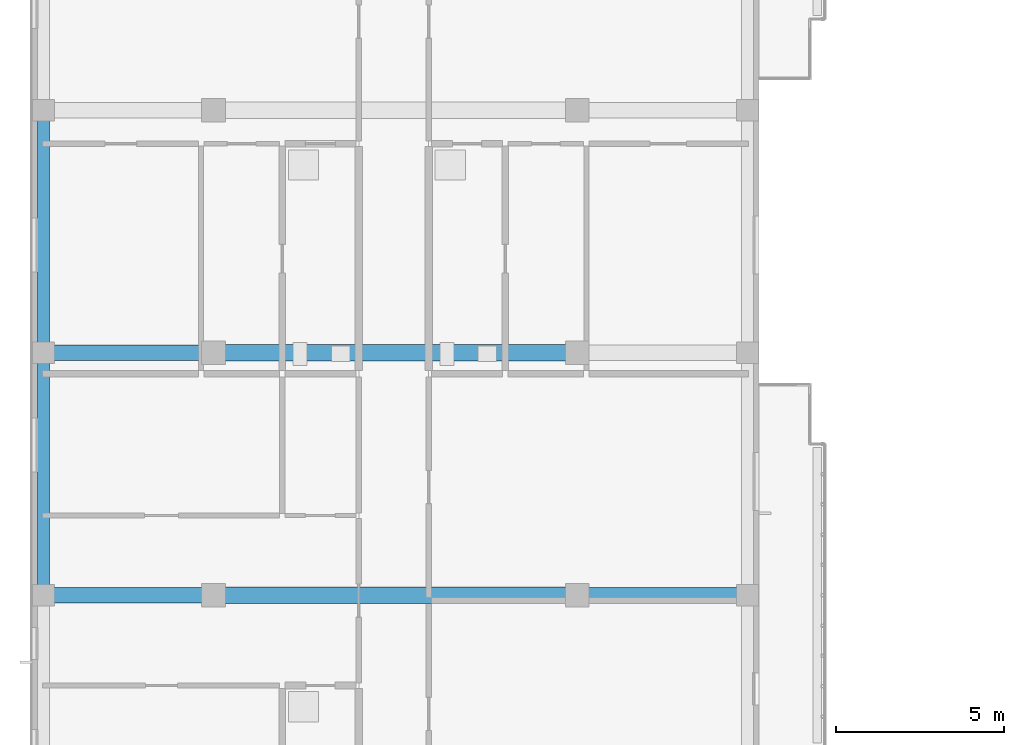
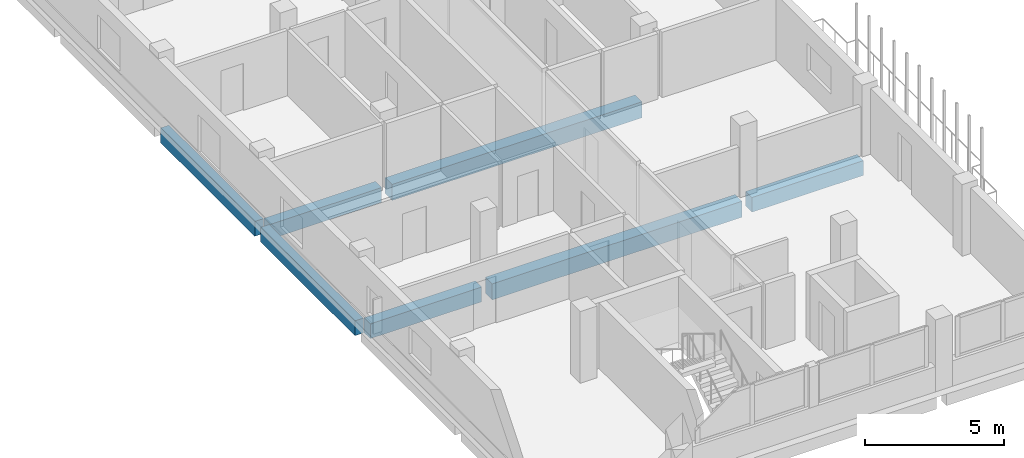
# One storey, part 11 of 56: 7 beams.
"""IFC4 building model written with IfcOpenShell, lengths in metres."""

from ifc_helpers import new_model, si_unit, derived_unit, direction, frame, origin, origin_2d, place, context, subcontext, project, spatial, rectangle, extrude, material, material_profile, profile_set, type_object, element, save


model = new_model("IFC4")

# Units and contexts
model_context = context("Model", 3, precision=1e-05, world=origin(), true_north=direction((0.0, 1.0)))
body_context = subcontext(model_context, "Body", "Model", "MODEL_VIEW")
ifc_project = project(units=[si_unit("LENGTHUNIT", "METRE"), si_unit("AREAUNIT", "SQUARE_METRE"), si_unit("VOLUMEUNIT", "CUBIC_METRE"), si_unit("PLANEANGLEUNIT", "RADIAN"), si_unit("MASSUNIT", "GRAM", prefix="KILO"), derived_unit("THERMALTRANSMITTANCEUNIT", [(si_unit("MASSUNIT", "GRAM", prefix="KILO"), 1), (si_unit("TIMEUNIT", "SECOND"), -3), (si_unit("THERMODYNAMICTEMPERATUREUNIT", "KELVIN"), -1)])], contexts=[model_context])

# Site, building, storey
site_placement = place(None, origin())
site = spatial("IfcSite", under=ifc_project, at=site_placement, CompositionType="ELEMENT")
building_placement = place(site_placement, origin())
building = spatial("IfcBuilding", under=site, at=building_placement, Name="Ochrekiln Boulevard Commons", CompositionType="ELEMENT")
storey_placement = place(building_placement, frame((0.0, 0.0, 12.074951171875)))
storey = spatial("IfcBuildingStorey", under=building, at=storey_placement, Name="L03", CompositionType="ELEMENT", Elevation=12.074951171875)

# Beams
ifc_material_1 = material(Name="Concrete C35/45", Category="concrete")
ifc_material_profile_1 = material_profile(ifc_material_1, rectangle(XDim=0.449951171875, YDim=0.64990234375, at=origin_2d()), Name="RC-BM-450x650")
ifc_profile_set_1 = profile_set([ifc_material_profile_1], Name="Concrete C35/45")
beam_type_1 = type_object("IfcBeamType", Name="BM-RC-450x650", PredefinedType="BEAM", material=ifc_profile_set_1)
beam_1_placement = place(storey_placement, frame((0.56005859375, 82.800048828125, -0.5849609375), z_axis=(1.0, 0.0, 0.0), x_axis=(0.0, 1.0, 0.0)))
element("IfcBeam", 1, at=beam_1_placement, inside=storey, type_object=beam_type_1, Name="Block A L03 Beam B-4565 X6", PredefinedType="BEAM", context=body_context, shape_type="SweptSolid", body=[
    extrude(rectangle(XDim=0.449951171875, YDim=0.64990234375, at=origin_2d()), origin(), (0.0, 0.0, 1.0), 4.6298828125),
])
beam_2_placement = place(storey_placement, frame((16.409912109375, 82.800048828125, -0.5849609375), z_axis=(1.0, 0.0, 0.0), x_axis=(0.0, 1.0, 0.0)))
element("IfcBeam", 2, at=beam_2_placement, inside=storey, type_object=beam_type_1, Name="Block A L03 Beam B-4565 X8", PredefinedType="BEAM", context=body_context, shape_type="SweptSolid", body=[
    extrude(rectangle(XDim=0.449951171875, YDim=0.64990234375, at=origin_2d()), origin(), (0.0, 0.0, 1.0), 4.630126953125),
])
beam_3_placement = place(storey_placement, frame((0.56005859375, 90.0, -0.5849609375), z_axis=(1.0, 0.0, 0.0), x_axis=(0.0, 1.0, 0.0)))
element("IfcBeam", 3, at=beam_3_placement, inside=storey, type_object=beam_type_1, Name="Block A L03 Beam B-4565 X9", PredefinedType="BEAM", context=body_context, shape_type="SweptSolid", body=[
    extrude(rectangle(XDim=0.449951171875, YDim=0.64990234375, at=origin_2d()), origin(), (0.0, 0.0, 1.0), 4.6298828125),
])
ifc_material_2 = material(Name="Concrete C40/50", Category="concrete")
ifc_material_profile_2 = material_profile(ifc_material_2, rectangle(XDim=0.5, YDim=0.699951171875, at=origin_2d()), Name="RC-BM-500x700")
ifc_profile_set_2 = profile_set([ifc_material_profile_2], Name="Concrete C40/50")
beam_type_2 = type_object("IfcBeamType", Name="BM-RC-500x700", PredefinedType="BEAM", material=ifc_profile_set_2)
for number, where, z_axis, x_axis, name in (
    (4, (5.610107421875, 82.800048828125, -0.60986328125), (1.0, 0.0, 0.0), (0.0, 1.0, 0.0), "Block A L03 Beam B-5070 X7"),
    (5, (5.610107421875, 90.0, -0.60986328125), (1.0, 0.0, 0.0), (0.0, 1.0, 0.0), "Block A L03 Beam B-5070 X10"),
):
    element("IfcBeam", number, at=place(storey_placement, frame(where, z_axis=z_axis, x_axis=x_axis)), inside=storey, type_object=beam_type_2, Name=name, PredefinedType="BEAM", context=body_context, shape_type="SweptSolid", body=[
        extrude(rectangle(XDim=0.5, YDim=0.699951171875, at=origin_2d()), origin(), (0.0, 0.0, 1.0), 10.3798828125),
    ])
ifc_material_profile_3 = material_profile(ifc_material_2, rectangle(XDim=0.35009765625, YDim=0.64990234375, at=origin_2d()), Name="RC-SPN-350x650")
ifc_profile_set_3 = profile_set([ifc_material_profile_3], Name="Concrete C40/50")
beam_type_3 = type_object("IfcBeamType", Name="SPN-RC-350x650", PredefinedType="SPANDREL", material=ifc_profile_set_3)
for number, where, z_axis, x_axis, name in (
    (6, (0.35009765625, 83.010009765625, -0.5849609375), (0.0, 1.0, 0.0), (-1.0, 0.0, 0.0), "Block A L03 Beam SP-3565 Y25"),
    (7, (0.35009765625, 90.2099609375, -0.5849609375), (0.0, 1.0, 0.0), (-1.0, 0.0, 0.0), "Block A L03 Beam SP-3565 Y26"),
):
    element("IfcBeam", number, at=place(storey_placement, frame(where, z_axis=z_axis, x_axis=x_axis)), inside=storey, type_object=beam_type_3, Name=name, PredefinedType="SPANDREL", context=body_context, shape_type="SweptSolid", body=[
        extrude(rectangle(XDim=0.35009765625, YDim=0.64990234375, at=origin_2d()), origin(), (0.0, 0.0, 1.0), 6.780029296875),
    ])

save(model, "model.ifc")
